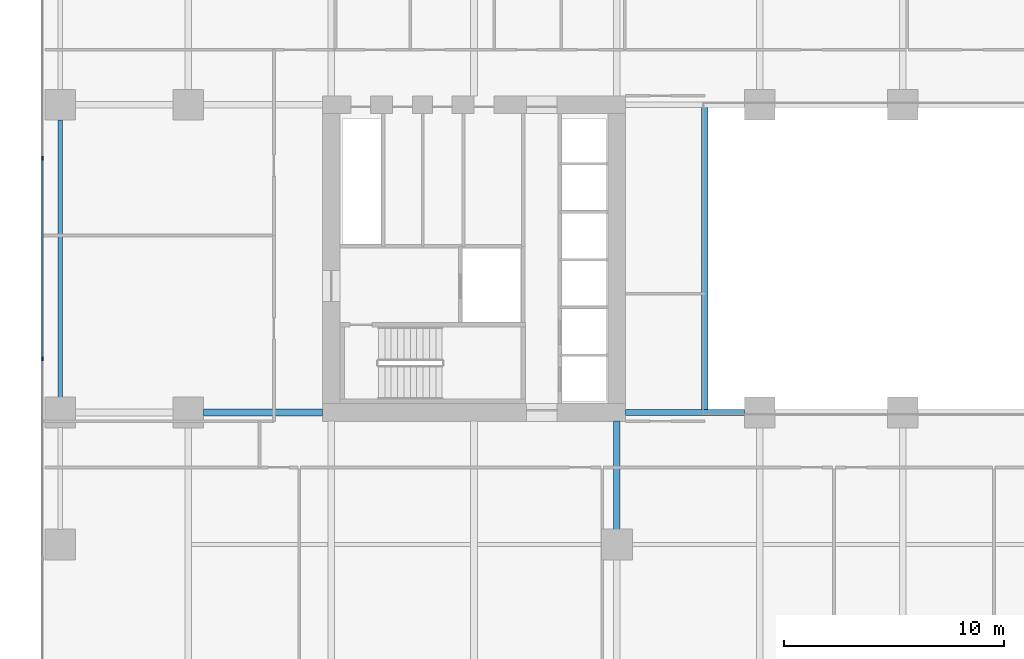
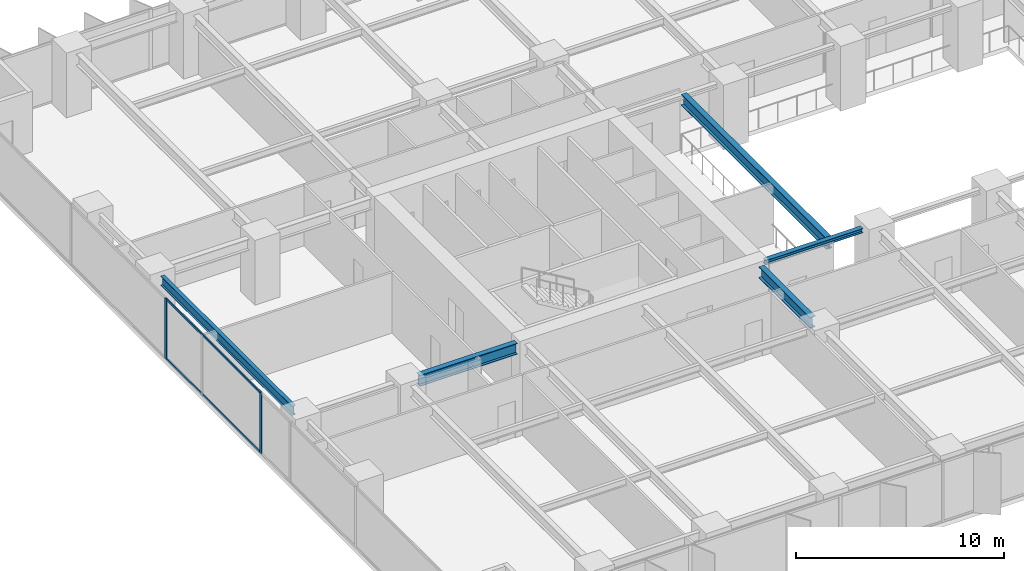
# One storey, part 4 of 20: 5 beams, 4 members, 1 element without a shape of its own.
"""IFC4 building model written with IfcOpenShell, lengths in metres."""

from ifc_helpers import new_model, si_unit, direction, frame, origin, origin_2d, place, context, subcontext, project, spatial, rectangle, i_section, extrude, material, layer, layer_set, material_profile, profile_set, type_object, element, aggregate, save


model = new_model("IFC4")

# Units and contexts
model_context = context("Model", 3, precision=1e-05, world=origin(), true_north=direction((0.0, 1.0)))
body_context = subcontext(model_context, "Body", "Model", "MODEL_VIEW")
ifc_project = project(units=[si_unit("LENGTHUNIT", "METRE"), si_unit("AREAUNIT", "SQUARE_METRE"), si_unit("VOLUMEUNIT", "CUBIC_METRE"), si_unit("PLANEANGLEUNIT", "RADIAN"), si_unit("MASSUNIT", "GRAM", prefix="KILO")], contexts=[model_context])

# Site, building, storey
site_placement = place(None, origin())
site = spatial("IfcSite", under=ifc_project, at=site_placement, CompositionType="ELEMENT")
building_placement = place(site_placement, origin())
building = spatial("IfcBuilding", under=site, at=building_placement, Name="Putna Gate Headquarters", CompositionType="ELEMENT")
storey_placement = place(building_placement, frame((0.0, 0.0, 73.39990234375)))
storey = spatial("IfcBuildingStorey", under=building, at=storey_placement, Name="L17", CompositionType="ELEMENT", Elevation=73.39990234375)

# Beams
ifc_material_1 = material(Name="Steel S355J2", Category="steel")
ifc_material_profile_1 = material_profile(ifc_material_1, i_section(OverallWidth=0.260009765625, OverallDepth=0.260009765625, WebThickness=0.010009765625, FlangeThickness=0.017578125, at=origin_2d()), Name="Steel S355J2")
ifc_profile_set_1 = profile_set([ifc_material_profile_1], Name="Steel S355J2")
beam_type_1 = type_object("IfcBeamType", Name="BM-ATRIUM-HEB260", PredefinedType="BEAM", material=ifc_profile_set_1)
beam_1_placement = place(storey_placement, frame((26.385009765625, 19.0, 3.420166015625), z_axis=(1.0, 0.0, 0.0), x_axis=(0.0, 1.0, 0.0)))
element("IfcBeam", 1, at=beam_1_placement, inside=storey, type_object=beam_type_1, Name="L17 Atrium Edge Beam AS1", PredefinedType="BEAM", context=body_context, shape_type="SweptSolid", body=[
    extrude(i_section(OverallWidth=0.260009765625, OverallDepth=0.260009765625, WebThickness=0.010009765625, FlangeThickness=0.017578125, at=origin_2d()), origin(), (0.0, 0.0, 1.0), 5.427001953125),
])
ifc_material_profile_2 = material_profile(ifc_material_1, i_section(OverallWidth=0.300048828125, OverallDepth=0.64990234375, WebThickness=0.01611328125, FlangeThickness=0.031005859375, at=origin_2d()), Name="Steel S355J2")
ifc_profile_set_2 = profile_set([ifc_material_profile_2], Name="Steel S355J2")
beam_type_2 = type_object("IfcBeamType", Name="BM-GIRD-Z1-HEB650", PredefinedType="USERDEFINED", material=ifc_profile_set_2)
beam_2_placement = place(storey_placement, frame((7.18798828125, 19.0, 3.22509765625), z_axis=(1.0, 0.0, 0.0), x_axis=(0.0, 1.0, 0.0)))
element("IfcBeam", 2, at=beam_2_placement, inside=storey, type_object=beam_type_2, Name="L17 West Wing Girder Y19-2", ObjectType="GIRDER", PredefinedType="USERDEFINED", context=body_context, shape_type="SweptSolid", body=[
    extrude(i_section(OverallWidth=0.300048828125, OverallDepth=0.64990234375, WebThickness=0.01611328125, FlangeThickness=0.031005859375, at=origin_2d()), origin(), (0.0, 0.0, 1.0), 5.427001953125),
])
beam_3_placement = place(storey_placement, frame((26.0, 13.68798828125, 3.22509765625), z_axis=(0.0, 1.0, 0.0), x_axis=(-1.0, 0.0, 0.0)))
element("IfcBeam", 3, at=beam_3_placement, inside=storey, type_object=beam_type_2, Name="L17 South Primary Girder X26-2", ObjectType="GIRDER", PredefinedType="USERDEFINED", context=body_context, shape_type="SweptSolid", body=[
    extrude(i_section(OverallWidth=0.300048828125, OverallDepth=0.64990234375, WebThickness=0.01611328125, FlangeThickness=0.031005859375, at=origin_2d()), origin(), (0.0, 0.0, 1.0), 4.927001953125),
])
beam_4_placement = place(storey_placement, frame((30.0, 19.010009765625, 3.22509765625), z_axis=(0.0, 1.0, 0.0), x_axis=(-1.0, 0.0, 0.0)))
element("IfcBeam", 4, at=beam_4_placement, inside=storey, type_object=beam_type_2, Name="L17 Atrium Trim Girder AW", ObjectType="GIRDER", PredefinedType="USERDEFINED", context=body_context, shape_type="SweptSolid", body=[
    extrude(i_section(OverallWidth=0.300048828125, OverallDepth=0.64990234375, WebThickness=0.01611328125, FlangeThickness=0.031005859375, at=origin_2d()), origin(), (0.0, 0.0, 1.0), 13.97998046875),
])
ifc_material_profile_3 = material_profile(ifc_material_1, i_section(OverallWidth=0.2099609375, OverallDepth=0.550048828125, WebThickness=0.010986328125, FlangeThickness=0.01708984375, at=origin_2d()), Name="Steel S355J2")
ifc_profile_set_3 = profile_set([ifc_material_profile_3], Name="Steel S355J2")
beam_type_3 = type_object("IfcBeamType", Name="BM-SPAN-Z1-IPE550", PredefinedType="SPANDREL", material=ifc_profile_set_3)
beam_5_placement = place(storey_placement, frame((0.679931640625, 19.68798828125, 3.275146484375), z_axis=(0.0, 1.0, 0.0), x_axis=(-1.0, 0.0, 0.0)))
element("IfcBeam", 5, at=beam_5_placement, inside=storey, type_object=beam_type_3, Name="L17 W End Spandrel 2", PredefinedType="SPANDREL", context=body_context, shape_type="SweptSolid", body=[
    extrude(i_section(OverallWidth=0.2099609375, OverallDepth=0.550048828125, WebThickness=0.010986328125, FlangeThickness=0.01708984375, at=origin_2d()), origin(), (0.0, 0.0, 1.0), 12.6240234375),
])

# Curtain wall, members
ifc_material_2 = material(Name="Anodised bronze aluminium curtain wall", Category="aluminium")
ifc_layer = layer(ifc_material_2, 0.179931640625)
ifc_layer_set = layer_set([ifc_layer], Name="Anodised bronze aluminium curtain wall")
curtain_wall_type = type_object("IfcCurtainWallType", Name="CW-SYS-Z1", PredefinedType="USERDEFINED", material=ifc_layer_set)
curtain_wall_placement = place(storey_placement, origin())
curtain_wall = element("IfcCurtainWall", 6, at=curtain_wall_placement, inside=storey, type_object=curtain_wall_type, Name="L17 West Curtain Wall", ObjectType="STICK CURTAIN WALL", PredefinedType="USERDEFINED")
ifc_material_3 = material(Name="Anodised bronze aluminium EN AW-6060", Category="aluminium")
ifc_material_profile_4 = material_profile(ifc_material_3, rectangle(XDim=0.070068359375, YDim=0.179931640625, at=origin_2d()), Name="Anodised bronze aluminium EN AW-6060")
ifc_profile_set_4 = profile_set([ifc_material_profile_4], Name="Anodised bronze aluminium EN AW-6060")
member_type_1 = type_object("IfcMemberType", Name="MULL-CWM-1", PredefinedType="MULLION", material=ifc_profile_set_4)
member_1_placement = place(storey_placement, frame((-0.1201171875, 21.43994140625, 0.0), z_axis=(0.0, 0.0, 1.0), x_axis=(-1.0, 0.0, 0.0)))
member_1 = element("IfcMember", 7, at=member_1_placement, type_object=member_type_1, Name="CWS-1 mullion 3", PredefinedType="MULLION", context=body_context, shape_type="SweptSolid", body=[
    extrude(rectangle(XDim=0.070068359375, YDim=0.179931640625, at=origin_2d()), origin(), (0.0, 0.0, 1.0), 3.550048828125),
])
member_2_placement = place(storey_placement, frame((-0.1201171875, 30.56005859375, 0.0), z_axis=(0.0, 0.0, 1.0), x_axis=(-1.0, 0.0, 0.0)))
member_2 = element("IfcMember", 8, at=member_2_placement, type_object=member_type_1, Name="CWS-1 mullion 4", PredefinedType="MULLION", context=body_context, shape_type="SweptSolid", body=[
    extrude(rectangle(XDim=0.070068359375, YDim=0.179931640625, at=origin_2d()), origin(), (0.0, 0.0, 1.0), 3.550048828125),
])
ifc_material_profile_5 = material_profile(ifc_material_3, rectangle(XDim=0.06494140625, YDim=0.1201171875, at=origin_2d()), Name="Anodised bronze aluminium EN AW-6060")
ifc_profile_set_5 = profile_set([ifc_material_profile_5], Name="Anodised bronze aluminium EN AW-6060")
member_type_2 = type_object("IfcMemberType", Name="TRAN-CWT-1", PredefinedType="USERDEFINED", material=ifc_profile_set_5)
member_3_placement = place(storey_placement, frame((-0.1201171875, 21.47509765625, 0.03271484375), z_axis=(0.0, 1.0, 0.0), x_axis=(-1.0, 0.0, 0.0)))
member_3 = element("IfcMember", 9, at=member_3_placement, type_object=member_type_2, Name="CWS-1 transom 3.1", ObjectType="TRANSOM", PredefinedType="USERDEFINED", context=body_context, shape_type="SweptSolid", body=[
    extrude(rectangle(XDim=0.06494140625, YDim=0.1201171875, at=origin_2d()), origin(), (0.0, 0.0, 1.0), 9.0498046875),
])
member_4_placement = place(storey_placement, frame((-0.1201171875, 21.47509765625, 3.517578125), z_axis=(0.0, 1.0, 0.0), x_axis=(-1.0, 0.0, 0.0)))
member_4 = element("IfcMember", 10, at=member_4_placement, type_object=member_type_2, Name="CWS-1 transom 3.2", ObjectType="TRANSOM", PredefinedType="USERDEFINED", context=body_context, shape_type="SweptSolid", body=[
    extrude(rectangle(XDim=0.06494140625, YDim=0.1201171875, at=origin_2d()), origin(), (0.0, 0.0, 1.0), 9.0498046875),
])
aggregate(curtain_wall, [member_1, member_2, member_3, member_4])

save(model, "model.ifc")
